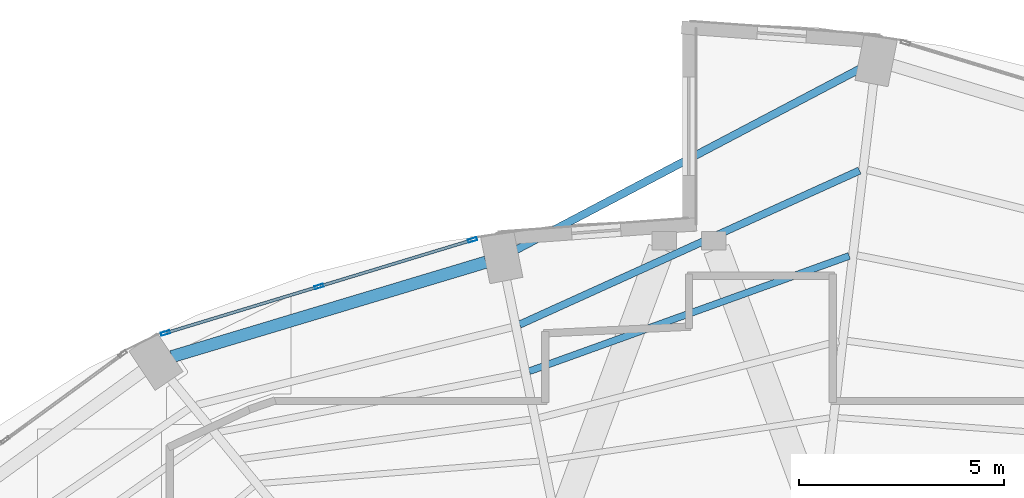
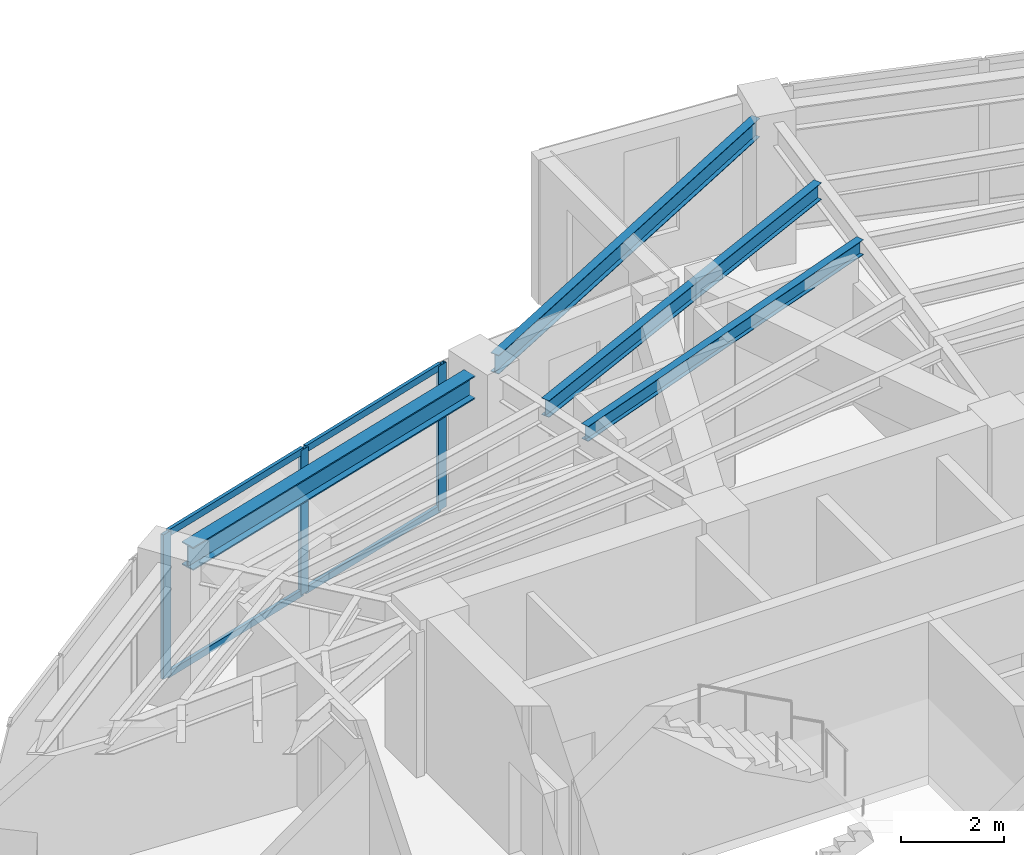
# One storey, part 12 of 20: 7 members, 4 beams, 1 element without a shape of its own.
"""IFC4 building model written with IfcOpenShell, lengths in metres."""

from ifc_helpers import new_model, si_unit, direction, frame, origin, origin_2d, place, context, subcontext, project, spatial, hollow_rectangle, i_section, extrude, material, layer, layer_set, material_profile, profile_set, type_object, element, aggregate, save


model = new_model("IFC4")

# Units and contexts
model_context = context("Model", 3, precision=1e-05, world=origin(), true_north=direction((0.0, 1.0)))
body_context = subcontext(model_context, "Body", "Model", "MODEL_VIEW")
ifc_project = project(units=[si_unit("LENGTHUNIT", "METRE"), si_unit("AREAUNIT", "SQUARE_METRE"), si_unit("VOLUMEUNIT", "CUBIC_METRE"), si_unit("PLANEANGLEUNIT", "RADIAN"), si_unit("MASSUNIT", "GRAM", prefix="KILO")], contexts=[model_context])

# Site, building, storey
site_placement = place(None, origin())
site = spatial("IfcSite", under=ifc_project, at=site_placement, CompositionType="ELEMENT")
building_placement = place(site_placement, origin())
building = spatial("IfcBuilding", under=site, at=building_placement, Name="Lazwardi Medical Tower", CompositionType="ELEMENT")
storey_placement = place(building_placement, frame((0.0, 0.0, 174.76806640625)))
storey = spatial("IfcBuildingStorey", under=building, at=storey_placement, Name="L45", CompositionType="ELEMENT", Elevation=174.76806640625)

# Beams
ifc_material_1 = material(Name="Steel S355", Category="steel")
ifc_material_profile_1 = material_profile(ifc_material_1, i_section(OverallWidth=0.300048828125, OverallDepth=0.550048828125, WebThickness=0.014892578125, FlangeThickness=0.029052734375, at=origin_2d()), Name="HEB 550")
ifc_profile_set_1 = profile_set([ifc_material_profile_1], Name="Steel S355")
beam_type_1 = type_object("IfcBeamType", Name="BM-RB-Z3", PredefinedType="BEAM", material=ifc_profile_set_1)
beam_1_placement = place(storey_placement, frame((31.056884765625, 42.133544921875, 3.15283203125), z_axis=(-0.957616873483, -0.288045002771, 0.0), x_axis=(0.288045002771, -0.957616873483, 0.0)))
element("IfcBeam", 1, at=beam_1_placement, inside=storey, type_object=beam_type_1, Name="Ring beam RB-04 B09 L45", PredefinedType="BEAM", context=body_context, shape_type="SweptSolid", body=[
    extrude(i_section(OverallWidth=0.300048828125, OverallDepth=0.550048828125, WebThickness=0.014892578125, FlangeThickness=0.029052734375, at=origin_2d()), origin(), (0.0, 0.0, 1.0), 7.99951171875),
])
ifc_material_profile_2 = material_profile(ifc_material_1, i_section(OverallWidth=0.179931640625, OverallDepth=0.39990234375, WebThickness=0.008544921875, FlangeThickness=0.013427734375, at=origin_2d()), Name="IPE 400")
ifc_profile_set_2 = profile_set([ifc_material_profile_2], Name="Steel S355")
beam_type_2 = type_object("IfcBeamType", Name="BM-SJ-01", PredefinedType="JOIST", material=ifc_profile_set_2)
beam_2_placement = place(storey_placement, frame((40.155029296875, 44.3642578125, 3.22802734375), z_axis=(-0.910834000674, -0.412772846995, 0.0), x_axis=(0.412772846995, -0.910834000674, 0.0)))
element("IfcBeam", 2, at=beam_2_placement, inside=storey, type_object=beam_type_2, Name="Secondary joist SJ-01 R1 B08 L45", PredefinedType="JOIST", context=body_context, shape_type="SweptSolid", body=[
    extrude(i_section(OverallWidth=0.179931640625, OverallDepth=0.39990234375, WebThickness=0.008544921875, FlangeThickness=0.013427734375, at=origin_2d()), origin(), (0.0, 0.0, 1.0), 9.09130859375),
])
ifc_material_profile_3 = material_profile(ifc_material_1, i_section(OverallWidth=0.169921875, OverallDepth=0.360107421875, WebThickness=0.008056640625, FlangeThickness=0.0126953125, at=origin_2d()), Name="IPE 360")
ifc_profile_set_3 = profile_set([ifc_material_profile_3], Name="Steel S355")
beam_type_3 = type_object("IfcBeamType", Name="BM-SJ-02", PredefinedType="JOIST", material=ifc_profile_set_3)
beam_3_placement = place(storey_placement, frame((39.904052734375, 42.284423828125, 3.248046875), z_axis=(-0.940747993319, -0.339106492221, 0.0), x_axis=(0.339106492221, -0.940747993319, 0.0)))
element("IfcBeam", 3, at=beam_3_placement, inside=storey, type_object=beam_type_3, Name="Secondary joist SJ-02 R2 B08 L45", PredefinedType="JOIST", context=body_context, shape_type="SweptSolid", body=[
    extrude(i_section(OverallWidth=0.169921875, OverallDepth=0.360107421875, WebThickness=0.008056640625, FlangeThickness=0.0126953125, at=origin_2d()), origin(), (0.0, 0.0, 1.0), 8.28662109375),
])
ifc_material_profile_4 = material_profile(ifc_material_1, i_section(OverallWidth=0.18994140625, OverallDepth=0.449951171875, WebThickness=0.009521484375, FlangeThickness=0.0146484375, at=origin_2d()), Name="IPE 450")
ifc_profile_set_4 = profile_set([ifc_material_profile_4], Name="Steel S355")
beam_type_4 = type_object("IfcBeamType", Name="BM-SP-01", PredefinedType="SPANDREL", material=ifc_profile_set_4)
beam_4_placement = place(storey_placement, frame((40.206298828125, 46.862548828125, 3.202880859375), z_axis=(-0.884926578414, -0.465730556026, 0.0), x_axis=(0.465730556026, -0.884926578414, 0.0)))
element("IfcBeam", 4, at=beam_4_placement, inside=storey, type_object=beam_type_4, Name="Spandrel beam SP-01 B08 L45", PredefinedType="SPANDREL", context=body_context, shape_type="SweptSolid", body=[
    extrude(i_section(OverallWidth=0.18994140625, OverallDepth=0.449951171875, WebThickness=0.009521484375, FlangeThickness=0.0146484375, at=origin_2d()), origin(), (0.0, 0.0, 1.0), 9.506591796875),
])

# Curtain wall, members
ifc_material_2 = material(Name="Anodised bronze aluminium and solar control glazing", Category="aluminium")
ifc_layer = layer(ifc_material_2, 0.195068359375)
ifc_layer_set = layer_set([ifc_layer], Name="Anodised bronze aluminium and solar control glazing")
curtain_wall_type = type_object("IfcCurtainWallType", Name="CW-SYS-03", PredefinedType="NOTDEFINED", material=ifc_layer_set)
curtain_wall_placement = place(storey_placement, origin())
curtain_wall = element("IfcCurtainWall", 5, at=curtain_wall_placement, inside=storey, type_object=curtain_wall_type, Name="L45 Unitised bronze curtain wall CW-03", PredefinedType="NOTDEFINED")
ifc_material_3 = material(Name="Anodised bronze aluminium", Category="aluminium")
ifc_material_profile_5 = material_profile(ifc_material_3, hollow_rectangle(XDim=0.074951171875, YDim=0.219970703125, WallThickness=0.00390625, at=origin_2d()), Name="ALU-MULLION 220x75x4")
ifc_profile_set_5 = profile_set([ifc_material_profile_5], Name="Anodised bronze aluminium")
member_type_1 = type_object("IfcMemberType", Name="CW-MUL-01", PredefinedType="MULLION", material=ifc_profile_set_5)
member_1_placement = place(storey_placement, frame((30.72802734375, 42.674072265625, 0.0), z_axis=(0.0, 0.0, 1.0), x_axis=(0.290280785441, -0.956941516292, 0.0)))
member_1 = element("IfcMember", 6, at=member_1_placement, type_object=member_type_1, Name="CW-03 mullion 1", PredefinedType="MULLION", context=body_context, shape_type="SweptSolid", body=[
    extrude(hollow_rectangle(XDim=0.074951171875, YDim=0.219970703125, WallThickness=0.00390625, at=origin_2d()), origin(), (0.0, 0.0, 1.0), 3.427978515625),
])
member_2_placement = place(storey_placement, frame((26.98486328125, 41.538818359375, 0.0), z_axis=(0.0, 0.0, 1.0), x_axis=(0.290280785441, -0.956941516292, 0.0)))
member_2 = element("IfcMember", 7, at=member_2_placement, type_object=member_type_1, Name="CW-03 mullion 2", PredefinedType="MULLION", context=body_context, shape_type="SweptSolid", body=[
    extrude(hollow_rectangle(XDim=0.074951171875, YDim=0.219970703125, WallThickness=0.00390625, at=origin_2d()), origin(), (0.0, 0.0, 1.0), 3.427978515625),
])
member_3_placement = place(storey_placement, frame((23.241943359375, 40.4033203125, 0.0), z_axis=(0.0, 0.0, 1.0), x_axis=(0.290280785441, -0.956941516292, 0.0)))
member_3 = element("IfcMember", 8, at=member_3_placement, type_object=member_type_1, Name="CW-03 mullion 3", PredefinedType="MULLION", context=body_context, shape_type="SweptSolid", body=[
    extrude(hollow_rectangle(XDim=0.074951171875, YDim=0.219970703125, WallThickness=0.00390625, at=origin_2d()), origin(), (0.0, 0.0, 1.0), 3.427978515625),
])
ifc_material_profile_6 = material_profile(ifc_material_3, hollow_rectangle(XDim=0.074951171875, YDim=0.159912109375, WallThickness=0.00390625, at=origin_2d()), Name="ALU-TRANSOM 160x75x4")
ifc_profile_set_6 = profile_set([ifc_material_profile_6], Name="Anodised bronze aluminium")
member_type_2 = type_object("IfcMemberType", Name="CW-TRN-01", PredefinedType="USERDEFINED", material=ifc_profile_set_6)
member_4_placement = place(storey_placement, frame((30.692138671875, 42.663330078125, 0.037353515625), z_axis=(-0.956935517424, -0.290300560612, 0.0), x_axis=(0.290300560612, -0.956935517424, 0.0)))
member_4 = element("IfcMember", 9, at=member_4_placement, type_object=member_type_2, Name="CW-03 transom 1.1", ObjectType="TRANSOM", PredefinedType="USERDEFINED", context=body_context, shape_type="SweptSolid", body=[
    extrude(hollow_rectangle(XDim=0.074951171875, YDim=0.159912109375, WallThickness=0.00390625, at=origin_2d()), origin(), (0.0, 0.0, 1.0), 3.836669921875),
])
member_5_placement = place(storey_placement, frame((30.692138671875, 42.663330078125, 3.390380859375), z_axis=(-0.956935517424, -0.290300560612, 0.0), x_axis=(0.290300560612, -0.956935517424, 0.0)))
member_5 = element("IfcMember", 10, at=member_5_placement, type_object=member_type_2, Name="CW-03 transom 1.2", ObjectType="TRANSOM", PredefinedType="USERDEFINED", context=body_context, shape_type="SweptSolid", body=[
    extrude(hollow_rectangle(XDim=0.074951171875, YDim=0.159912109375, WallThickness=0.00390625, at=origin_2d()), origin(), (0.0, 0.0, 1.0), 3.836669921875),
])
member_6_placement = place(storey_placement, frame((26.948974609375, 41.52783203125, 0.037353515625), z_axis=(-0.956930154175, -0.290318239233, 0.0), x_axis=(0.290318239233, -0.956930154175, 0.0)))
member_6 = element("IfcMember", 11, at=member_6_placement, type_object=member_type_2, Name="CW-03 transom 2.1", ObjectType="TRANSOM", PredefinedType="USERDEFINED", context=body_context, shape_type="SweptSolid", body=[
    extrude(hollow_rectangle(XDim=0.074951171875, YDim=0.159912109375, WallThickness=0.00390625, at=origin_2d()), origin(), (0.0, 0.0, 1.0), 3.83642578125),
])
member_7_placement = place(storey_placement, frame((26.948974609375, 41.52783203125, 3.390380859375), z_axis=(-0.956930154175, -0.290318239233, 0.0), x_axis=(0.290318239233, -0.956930154175, 0.0)))
member_7 = element("IfcMember", 12, at=member_7_placement, type_object=member_type_2, Name="CW-03 transom 2.2", ObjectType="TRANSOM", PredefinedType="USERDEFINED", context=body_context, shape_type="SweptSolid", body=[
    extrude(hollow_rectangle(XDim=0.074951171875, YDim=0.159912109375, WallThickness=0.00390625, at=origin_2d()), origin(), (0.0, 0.0, 1.0), 3.83642578125),
])
aggregate(curtain_wall, [member_1, member_2, member_3, member_4, member_5, member_6, member_7])

save(model, "model.ifc")
